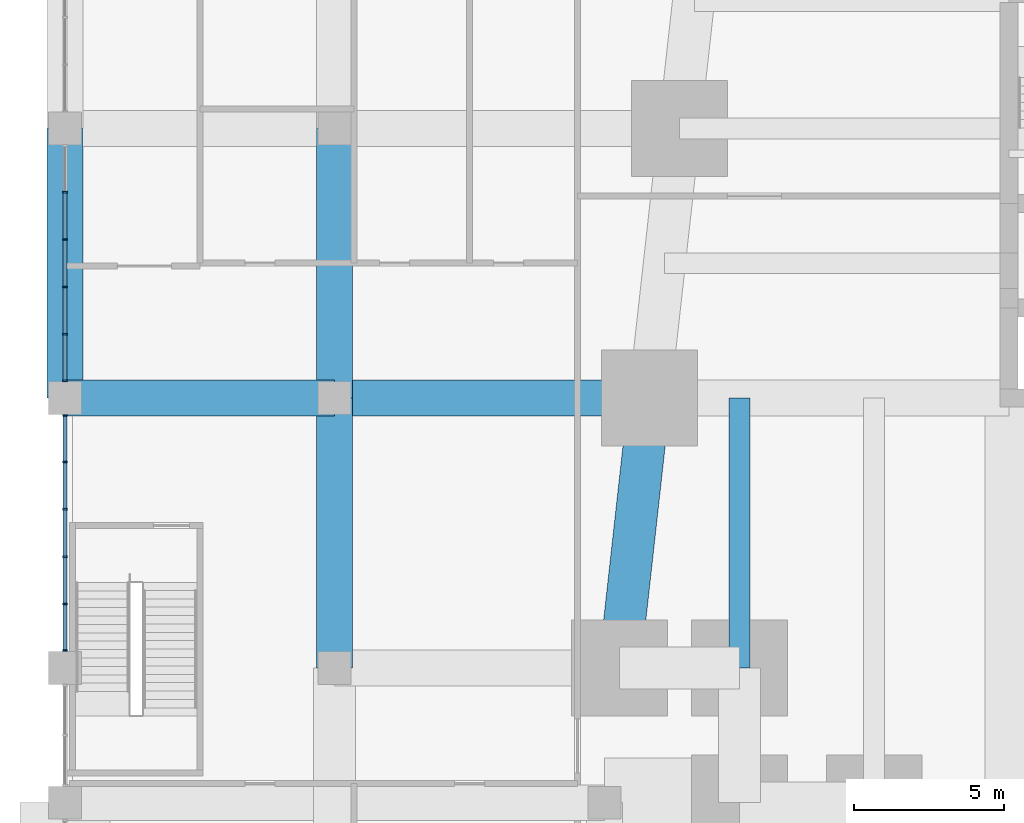
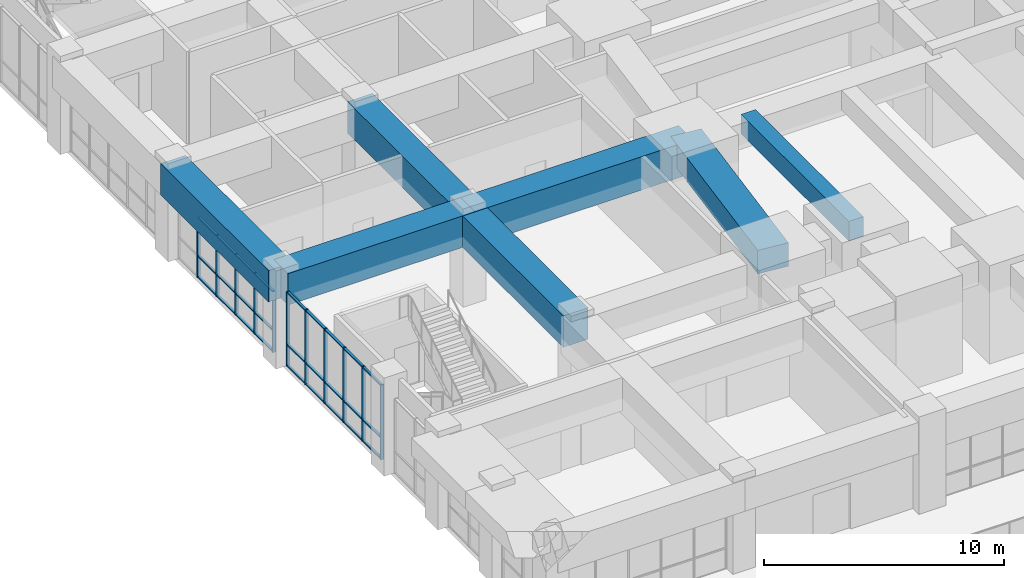
# One storey, part 4 of 27: 38 members, 7 beams, 2 elements without a shape of their own.
"""IFC4 building model written with IfcOpenShell, lengths in metres."""

from ifc_helpers import new_model, si_unit, direction, frame, origin, origin_2d, place, context, subcontext, project, spatial, rectangle, extrude, material, material_profile, profile_set, type_object, element, aggregate, save


model = new_model("IFC4")

# Units and contexts
model_context = context("Model", 3, precision=1e-05, world=origin(), true_north=direction((0.0, 1.0)))
body_context = subcontext(model_context, "Body", "Model", "MODEL_VIEW")
ifc_project = project(units=[si_unit("LENGTHUNIT", "METRE"), si_unit("AREAUNIT", "SQUARE_METRE"), si_unit("VOLUMEUNIT", "CUBIC_METRE"), si_unit("PLANEANGLEUNIT", "RADIAN"), si_unit("MASSUNIT", "GRAM", prefix="KILO")], contexts=[model_context])

# Site, building, storey
site_placement = place(None, origin())
site = spatial("IfcSite", under=ifc_project, at=site_placement, CompositionType="ELEMENT")
building_placement = place(site_placement, origin())
building = spatial("IfcBuilding", under=site, at=building_placement, Name="Kilele Tower Hotel", CompositionType="ELEMENT")
storey_placement = place(building_placement, frame((0.0, 0.0, 6.0)))
storey = spatial("IfcBuildingStorey", under=building, at=storey_placement, Name="L01", CompositionType="ELEMENT", Elevation=6.0)

# Beams
ifc_material_1 = material(Name="Concrete C60/75", Category="concrete")
ifc_material_profile_1 = material_profile(ifc_material_1, rectangle(XDim=1.199951171875, YDim=1.60009765625, at=origin_2d()))
ifc_profile_set_1 = profile_set([ifc_material_profile_1], Name="Concrete C60/75")
beam_type_1 = type_object("IfcBeamType", Name="Beam RC 1200x1600 C60/75", PredefinedType="BEAM", material=ifc_profile_set_1)
for number, where, z_axis, x_axis, name in (
    (1, (-9.0, 4.5, 3.89990234375), (0.0, 1.0, 0.0), (-1.0, 0.0, 0.0), "Beam PB2 level L02"),
    (2, (-18.0, 13.5, 3.89990234375), (1.0, 0.0, 0.0), (0.0, 1.0, 0.0), "Beam PB2 level L02"),
    (3, (-18.0, 13.5, 3.89990234375), (0.0, 1.0, 0.0), (-1.0, 0.0, 0.0), "Beam PB2 level L02"),
    (4, (-9.0, 13.5, 3.89990234375), (0.0, 1.0, 0.0), (-1.0, 0.0, 0.0), "Beam PB2 level L02"),
):
    element("IfcBeam", number, at=place(storey_placement, frame(where, z_axis=z_axis, x_axis=x_axis)), inside=storey, type_object=beam_type_1, Name=name, PredefinedType="BEAM", context=body_context, shape_type="SweptSolid", body=[
        extrude(rectangle(XDim=1.199951171875, YDim=1.60009765625, at=origin_2d()), origin(), (0.0, 0.0, 1.0), 9.0),
    ])
ifc_material_2 = material(Name="Concrete C60/75", Category="concrete")
ifc_material_profile_2 = material_profile(ifc_material_2, rectangle(XDim=1.199951171875, YDim=1.699951171875, at=origin_2d()))
ifc_profile_set_2 = profile_set([ifc_material_profile_2], Name="Concrete C60/75")
beam_type_2 = type_object("IfcBeamType", Name="Beam RC 1200x1700 C60/75 mid span", PredefinedType="BEAM", material=ifc_profile_set_2)
beam_1_placement = place(storey_placement, frame((-9.0, 13.5, 3.85009765625), z_axis=(1.0, 0.0, 0.0), x_axis=(0.0, 1.0, 0.0)))
element("IfcBeam", 5, at=beam_1_placement, inside=storey, type_object=beam_type_2, Name="Beam PB4 level L02", PredefinedType="BEAM", context=body_context, shape_type="SweptSolid", body=[
    extrude(rectangle(XDim=1.199951171875, YDim=1.699951171875, at=origin_2d()), origin(), (0.0, 0.0, 1.0), 10.5),
])
ifc_material_3 = material(Name="Concrete C60/75", Category="concrete")
ifc_material_profile_3 = material_profile(ifc_material_3, rectangle(XDim=0.699951171875, YDim=1.0, at=origin_2d()))
ifc_profile_set_3 = profile_set([ifc_material_profile_3], Name="Concrete C60/75")
beam_type_3 = type_object("IfcBeamType", Name="Beam RC 700x1000 C60/75 mid span", PredefinedType="BEAM", material=ifc_profile_set_3)
beam_2_placement = place(storey_placement, frame((4.5, 4.5, 4.199951171875), z_axis=(0.0, 1.0, 0.0), x_axis=(-1.0, 0.0, 0.0)))
element("IfcBeam", 6, at=beam_2_placement, inside=storey, type_object=beam_type_3, Name="Beam B5 level L02", PredefinedType="BEAM", context=body_context, shape_type="SweptSolid", body=[
    extrude(rectangle(XDim=0.699951171875, YDim=1.0, at=origin_2d()), origin(), (0.0, 0.0, 1.0), 9.0),
])

# Curtain wall, members
ifc_material_4 = material(Name="Aluminium curtain wall, clear double glazing", Category="aluminium")
curtain_wall_type = type_object("IfcCurtainWallType", Name="Podium side curtain wall CW-2", PredefinedType="NOTDEFINED", material=ifc_material_4)
curtain_wall_1_placement = place(storey_placement, origin())
curtain_wall_1 = element("IfcCurtainWall", 7, at=curtain_wall_1_placement, inside=storey, type_object=curtain_wall_type, Name="Podium side curtain wall CW-2 L01", PredefinedType="NOTDEFINED")
ifc_material_5 = material(Name="Aluminium EN AW-6063 T6", Category="aluminium")
ifc_material_profile_4 = material_profile(ifc_material_5, rectangle(XDim=0.159912109375, YDim=0.06005859375, at=origin_2d()))
ifc_profile_set_4 = profile_set([ifc_material_profile_4], Name="Aluminium EN AW-6063 T6")
member_type_1 = type_object("IfcMemberType", Name="Mullion 60x160 CW-2", PredefinedType="MULLION", material=ifc_profile_set_4)
member_1_placement = place(storey_placement, frame((-18.0, 20.3701171875, 0.0), z_axis=(0.0, 0.0, 1.0), x_axis=(1.0, 0.0, 0.0)))
member_1 = element("IfcMember", 8, at=member_1_placement, type_object=member_type_1, Name="CW-2 mullion 2", PredefinedType="MULLION", context=body_context, shape_type="SweptSolid", body=[
    extrude(rectangle(XDim=0.159912109375, YDim=0.06005859375, at=origin_2d()), origin(), (0.0, 0.0, 1.0), 3.10009765625),
])
member_2_placement = place(storey_placement, frame((-18.0, 18.7900390625, 0.0), z_axis=(0.0, 0.0, 1.0), x_axis=(1.0, 0.0, 0.0)))
member_2 = element("IfcMember", 9, at=member_2_placement, type_object=member_type_1, Name="CW-2 mullion 3", PredefinedType="MULLION", context=body_context, shape_type="SweptSolid", body=[
    extrude(rectangle(XDim=0.159912109375, YDim=0.06005859375, at=origin_2d()), origin(), (0.0, 0.0, 1.0), 3.10009765625),
])
member_3_placement = place(storey_placement, frame((-18.0, 17.2099609375, 0.0), z_axis=(0.0, 0.0, 1.0), x_axis=(1.0, 0.0, 0.0)))
member_3 = element("IfcMember", 10, at=member_3_placement, type_object=member_type_1, Name="CW-2 mullion 4", PredefinedType="MULLION", context=body_context, shape_type="SweptSolid", body=[
    extrude(rectangle(XDim=0.159912109375, YDim=0.06005859375, at=origin_2d()), origin(), (0.0, 0.0, 1.0), 3.10009765625),
])
member_4_placement = place(storey_placement, frame((-18.0, 15.6298828125, 0.0), z_axis=(0.0, 0.0, 1.0), x_axis=(1.0, 0.0, 0.0)))
member_4 = element("IfcMember", 11, at=member_4_placement, type_object=member_type_1, Name="CW-2 mullion 5", PredefinedType="MULLION", context=body_context, shape_type="SweptSolid", body=[
    extrude(rectangle(XDim=0.159912109375, YDim=0.06005859375, at=origin_2d()), origin(), (0.0, 0.0, 1.0), 3.10009765625),
])
member_5_placement = place(storey_placement, frame((-18.0, 14.080078125, 0.0), z_axis=(0.0, 0.0, 1.0), x_axis=(1.0, 0.0, 0.0)))
member_5 = element("IfcMember", 12, at=member_5_placement, type_object=member_type_1, Name="CW-2 mullion 6", PredefinedType="MULLION", context=body_context, shape_type="SweptSolid", body=[
    extrude(rectangle(XDim=0.159912109375, YDim=0.06005859375, at=origin_2d()), origin(), (0.0, 0.0, 1.0), 3.10009765625),
])

curtain_wall_2_placement = place(storey_placement, origin())
curtain_wall_2 = element("IfcCurtainWall", 13, at=curtain_wall_2_placement, inside=storey, type_object=curtain_wall_type, Name="Podium side curtain wall CW-2 L01", PredefinedType="NOTDEFINED")
member_6_placement = place(storey_placement, frame((-18.0, 12.919921875, 0.0), z_axis=(0.0, 0.0, 1.0), x_axis=(1.0, 0.0, 0.0)))
member_6 = element("IfcMember", 14, at=member_6_placement, type_object=member_type_1, Name="CW-2 mullion 1", PredefinedType="MULLION", context=body_context, shape_type="SweptSolid", body=[
    extrude(rectangle(XDim=0.159912109375, YDim=0.06005859375, at=origin_2d()), origin(), (0.0, 0.0, 1.0), 3.800048828125),
])
member_7_placement = place(storey_placement, frame((-18.0, 11.3701171875, 0.0), z_axis=(0.0, 0.0, 1.0), x_axis=(1.0, 0.0, 0.0)))
member_7 = element("IfcMember", 15, at=member_7_placement, type_object=member_type_1, Name="CW-2 mullion 2", PredefinedType="MULLION", context=body_context, shape_type="SweptSolid", body=[
    extrude(rectangle(XDim=0.159912109375, YDim=0.06005859375, at=origin_2d()), origin(), (0.0, 0.0, 1.0), 3.800048828125),
])
member_8_placement = place(storey_placement, frame((-18.0, 9.7900390625, 0.0), z_axis=(0.0, 0.0, 1.0), x_axis=(1.0, 0.0, 0.0)))
member_8 = element("IfcMember", 16, at=member_8_placement, type_object=member_type_1, Name="CW-2 mullion 3", PredefinedType="MULLION", context=body_context, shape_type="SweptSolid", body=[
    extrude(rectangle(XDim=0.159912109375, YDim=0.06005859375, at=origin_2d()), origin(), (0.0, 0.0, 1.0), 3.800048828125),
])
member_9_placement = place(storey_placement, frame((-18.0, 8.2099609375, 0.0), z_axis=(0.0, 0.0, 1.0), x_axis=(1.0, 0.0, 0.0)))
member_9 = element("IfcMember", 17, at=member_9_placement, type_object=member_type_1, Name="CW-2 mullion 4", PredefinedType="MULLION", context=body_context, shape_type="SweptSolid", body=[
    extrude(rectangle(XDim=0.159912109375, YDim=0.06005859375, at=origin_2d()), origin(), (0.0, 0.0, 1.0), 3.800048828125),
])
member_10_placement = place(storey_placement, frame((-18.0, 6.6298828125, 0.0), z_axis=(0.0, 0.0, 1.0), x_axis=(1.0, 0.0, 0.0)))
member_10 = element("IfcMember", 18, at=member_10_placement, type_object=member_type_1, Name="CW-2 mullion 5", PredefinedType="MULLION", context=body_context, shape_type="SweptSolid", body=[
    extrude(rectangle(XDim=0.159912109375, YDim=0.06005859375, at=origin_2d()), origin(), (0.0, 0.0, 1.0), 3.800048828125),
])
member_11_placement = place(storey_placement, frame((-18.0, 5.080078125, 0.0), z_axis=(0.0, 0.0, 1.0), x_axis=(1.0, 0.0, 0.0)))
member_11 = element("IfcMember", 19, at=member_11_placement, type_object=member_type_1, Name="CW-2 mullion 6", PredefinedType="MULLION", context=body_context, shape_type="SweptSolid", body=[
    extrude(rectangle(XDim=0.159912109375, YDim=0.06005859375, at=origin_2d()), origin(), (0.0, 0.0, 1.0), 3.800048828125),
])

# Beam
ifc_material_6 = material(Name="Concrete C60/75", Category="concrete")
ifc_material_profile_5 = material_profile(ifc_material_6, rectangle(XDim=1.39990234375, YDim=1.199951171875, at=origin_2d()))
ifc_profile_set_5 = profile_set([ifc_material_profile_5], Name="Concrete C60/75")
beam_type_4 = type_object("IfcBeamType", Name="Spandrel RC 1400x1200 C60/75", PredefinedType="SPANDREL", material=ifc_profile_set_5)
beam_3_placement = place(storey_placement, frame((1.5, 13.5, 4.10009765625), z_axis=(-0.110431526075, -0.993883734674, 0.0), x_axis=(0.993883734674, -0.110431526075, 0.0)))
element("IfcBeam", 20, at=beam_3_placement, inside=storey, type_object=beam_type_4, Name="Spandrel SP10 level L02", PredefinedType="SPANDREL", context=body_context, shape_type="SweptSolid", body=[
    extrude(rectangle(XDim=1.39990234375, YDim=1.199951171875, at=origin_2d()), origin(), (0.0, 0.0, 1.0), 9.055419921875),
])

# Member
ifc_material_7 = material(Name="Aluminium EN AW-6063 T6", Category="aluminium")
ifc_material_profile_6 = material_profile(ifc_material_7, rectangle(XDim=0.1201171875, YDim=0.06005859375, at=origin_2d()))
ifc_profile_set_6 = profile_set([ifc_material_profile_6], Name="Aluminium EN AW-6063 T6")
member_type_2 = type_object("IfcMemberType", Name="Transom 60x120 CW-2", PredefinedType="USERDEFINED", material=ifc_profile_set_6)
member_12_placement = place(storey_placement, frame((-18.0, 20.340087890625, 0.030029296875), z_axis=(0.0, -1.0, 0.0), x_axis=(1.0, 0.0, 0.0)))
member_12 = element("IfcMember", 21, at=member_12_placement, type_object=member_type_2, Name="CW-2 transom 2.1", ObjectType="TRANSOM", PredefinedType="USERDEFINED", context=body_context, shape_type="SweptSolid", body=[
    extrude(rectangle(XDim=0.1201171875, YDim=0.06005859375, at=origin_2d()), origin(), (0.0, 0.0, 1.0), 1.52001953125),
])

member_13_placement = place(storey_placement, frame((-18.0, 20.340087890625, 1.10009765625), z_axis=(0.0, -1.0, 0.0), x_axis=(1.0, 0.0, 0.0)))
member_13 = element("IfcMember", 22, at=member_13_placement, type_object=member_type_2, Name="CW-2 transom 2.2", ObjectType="TRANSOM", PredefinedType="USERDEFINED", context=body_context, shape_type="SweptSolid", body=[
    extrude(rectangle(XDim=0.1201171875, YDim=0.06005859375, at=origin_2d()), origin(), (0.0, 0.0, 1.0), 1.52001953125),
])

member_14_placement = place(storey_placement, frame((-18.0, 20.340087890625, 3.070068359375), z_axis=(0.0, -1.0, 0.0), x_axis=(1.0, 0.0, 0.0)))
member_14 = element("IfcMember", 23, at=member_14_placement, type_object=member_type_2, Name="CW-2 transom 2.3", ObjectType="TRANSOM", PredefinedType="USERDEFINED", context=body_context, shape_type="SweptSolid", body=[
    extrude(rectangle(XDim=0.1201171875, YDim=0.06005859375, at=origin_2d()), origin(), (0.0, 0.0, 1.0), 1.52001953125),
])

member_15_placement = place(storey_placement, frame((-18.0, 18.760009765625, 0.030029296875), z_axis=(0.0, -1.0, 0.0), x_axis=(1.0, 0.0, 0.0)))
member_15 = element("IfcMember", 24, at=member_15_placement, type_object=member_type_2, Name="CW-2 transom 3.1", ObjectType="TRANSOM", PredefinedType="USERDEFINED", context=body_context, shape_type="SweptSolid", body=[
    extrude(rectangle(XDim=0.1201171875, YDim=0.06005859375, at=origin_2d()), origin(), (0.0, 0.0, 1.0), 1.52001953125),
])

member_16_placement = place(storey_placement, frame((-18.0, 18.760009765625, 1.10009765625), z_axis=(0.0, -1.0, 0.0), x_axis=(1.0, 0.0, 0.0)))
member_16 = element("IfcMember", 25, at=member_16_placement, type_object=member_type_2, Name="CW-2 transom 3.2", ObjectType="TRANSOM", PredefinedType="USERDEFINED", context=body_context, shape_type="SweptSolid", body=[
    extrude(rectangle(XDim=0.1201171875, YDim=0.06005859375, at=origin_2d()), origin(), (0.0, 0.0, 1.0), 1.52001953125),
])

member_17_placement = place(storey_placement, frame((-18.0, 18.760009765625, 3.070068359375), z_axis=(0.0, -1.0, 0.0), x_axis=(1.0, 0.0, 0.0)))
member_17 = element("IfcMember", 26, at=member_17_placement, type_object=member_type_2, Name="CW-2 transom 3.3", ObjectType="TRANSOM", PredefinedType="USERDEFINED", context=body_context, shape_type="SweptSolid", body=[
    extrude(rectangle(XDim=0.1201171875, YDim=0.06005859375, at=origin_2d()), origin(), (0.0, 0.0, 1.0), 1.52001953125),
])

member_18_placement = place(storey_placement, frame((-18.0, 17.179931640625, 0.030029296875), z_axis=(0.0, -1.0, 0.0), x_axis=(1.0, 0.0, 0.0)))
member_18 = element("IfcMember", 27, at=member_18_placement, type_object=member_type_2, Name="CW-2 transom 4.1", ObjectType="TRANSOM", PredefinedType="USERDEFINED", context=body_context, shape_type="SweptSolid", body=[
    extrude(rectangle(XDim=0.1201171875, YDim=0.06005859375, at=origin_2d()), origin(), (0.0, 0.0, 1.0), 1.52001953125),
])

member_19_placement = place(storey_placement, frame((-18.0, 17.179931640625, 1.10009765625), z_axis=(0.0, -1.0, 0.0), x_axis=(1.0, 0.0, 0.0)))
member_19 = element("IfcMember", 28, at=member_19_placement, type_object=member_type_2, Name="CW-2 transom 4.2", ObjectType="TRANSOM", PredefinedType="USERDEFINED", context=body_context, shape_type="SweptSolid", body=[
    extrude(rectangle(XDim=0.1201171875, YDim=0.06005859375, at=origin_2d()), origin(), (0.0, 0.0, 1.0), 1.52001953125),
])

member_20_placement = place(storey_placement, frame((-18.0, 17.179931640625, 3.070068359375), z_axis=(0.0, -1.0, 0.0), x_axis=(1.0, 0.0, 0.0)))
member_20 = element("IfcMember", 29, at=member_20_placement, type_object=member_type_2, Name="CW-2 transom 4.3", ObjectType="TRANSOM", PredefinedType="USERDEFINED", context=body_context, shape_type="SweptSolid", body=[
    extrude(rectangle(XDim=0.1201171875, YDim=0.06005859375, at=origin_2d()), origin(), (0.0, 0.0, 1.0), 1.52001953125),
])

member_21_placement = place(storey_placement, frame((-18.0, 15.60009765625, 0.030029296875), z_axis=(0.0, -1.0, 0.0), x_axis=(1.0, 0.0, 0.0)))
member_21 = element("IfcMember", 30, at=member_21_placement, type_object=member_type_2, Name="CW-2 transom 5.1", ObjectType="TRANSOM", PredefinedType="USERDEFINED", context=body_context, shape_type="SweptSolid", body=[
    extrude(rectangle(XDim=0.1201171875, YDim=0.06005859375, at=origin_2d()), origin(), (0.0, 0.0, 1.0), 1.489990234375),
])

member_22_placement = place(storey_placement, frame((-18.0, 15.60009765625, 1.10009765625), z_axis=(0.0, -1.0, 0.0), x_axis=(1.0, 0.0, 0.0)))
member_22 = element("IfcMember", 31, at=member_22_placement, type_object=member_type_2, Name="CW-2 transom 5.2", ObjectType="TRANSOM", PredefinedType="USERDEFINED", context=body_context, shape_type="SweptSolid", body=[
    extrude(rectangle(XDim=0.1201171875, YDim=0.06005859375, at=origin_2d()), origin(), (0.0, 0.0, 1.0), 1.489990234375),
])

member_23_placement = place(storey_placement, frame((-18.0, 15.60009765625, 3.070068359375), z_axis=(0.0, -1.0, 0.0), x_axis=(1.0, 0.0, 0.0)))
member_23 = element("IfcMember", 32, at=member_23_placement, type_object=member_type_2, Name="CW-2 transom 5.3", ObjectType="TRANSOM", PredefinedType="USERDEFINED", context=body_context, shape_type="SweptSolid", body=[
    extrude(rectangle(XDim=0.1201171875, YDim=0.06005859375, at=origin_2d()), origin(), (0.0, 0.0, 1.0), 1.489990234375),
])

aggregate(curtain_wall_1, [member_1, member_2, member_3, member_4, member_5, member_12, member_13, member_14, member_15, member_16, member_17, member_18, member_19, member_20, member_21, member_22, member_23])

member_24_placement = place(storey_placement, frame((-18.0, 12.889892578125, 0.030029296875), z_axis=(0.0, -1.0, 0.0), x_axis=(1.0, 0.0, 0.0)))
member_24 = element("IfcMember", 33, at=member_24_placement, type_object=member_type_2, Name="CW-2 transom 1.1", ObjectType="TRANSOM", PredefinedType="USERDEFINED", context=body_context, shape_type="SweptSolid", body=[
    extrude(rectangle(XDim=0.1201171875, YDim=0.06005859375, at=origin_2d()), origin(), (0.0, 0.0, 1.0), 1.489990234375),
])

member_25_placement = place(storey_placement, frame((-18.0, 12.889892578125, 1.10009765625), z_axis=(0.0, -1.0, 0.0), x_axis=(1.0, 0.0, 0.0)))
member_25 = element("IfcMember", 34, at=member_25_placement, type_object=member_type_2, Name="CW-2 transom 1.2", ObjectType="TRANSOM", PredefinedType="USERDEFINED", context=body_context, shape_type="SweptSolid", body=[
    extrude(rectangle(XDim=0.1201171875, YDim=0.06005859375, at=origin_2d()), origin(), (0.0, 0.0, 1.0), 1.489990234375),
])

member_26_placement = place(storey_placement, frame((-18.0, 12.889892578125, 3.77001953125), z_axis=(0.0, -1.0, 0.0), x_axis=(1.0, 0.0, 0.0)))
member_26 = element("IfcMember", 35, at=member_26_placement, type_object=member_type_2, Name="CW-2 transom 1.3", ObjectType="TRANSOM", PredefinedType="USERDEFINED", context=body_context, shape_type="SweptSolid", body=[
    extrude(rectangle(XDim=0.1201171875, YDim=0.06005859375, at=origin_2d()), origin(), (0.0, 0.0, 1.0), 1.489990234375),
])

member_27_placement = place(storey_placement, frame((-18.0, 11.340087890625, 0.030029296875), z_axis=(0.0, -1.0, 0.0), x_axis=(1.0, 0.0, 0.0)))
member_27 = element("IfcMember", 36, at=member_27_placement, type_object=member_type_2, Name="CW-2 transom 2.1", ObjectType="TRANSOM", PredefinedType="USERDEFINED", context=body_context, shape_type="SweptSolid", body=[
    extrude(rectangle(XDim=0.1201171875, YDim=0.06005859375, at=origin_2d()), origin(), (0.0, 0.0, 1.0), 1.52001953125),
])

member_28_placement = place(storey_placement, frame((-18.0, 11.340087890625, 1.10009765625), z_axis=(0.0, -1.0, 0.0), x_axis=(1.0, 0.0, 0.0)))
member_28 = element("IfcMember", 37, at=member_28_placement, type_object=member_type_2, Name="CW-2 transom 2.2", ObjectType="TRANSOM", PredefinedType="USERDEFINED", context=body_context, shape_type="SweptSolid", body=[
    extrude(rectangle(XDim=0.1201171875, YDim=0.06005859375, at=origin_2d()), origin(), (0.0, 0.0, 1.0), 1.52001953125),
])

member_29_placement = place(storey_placement, frame((-18.0, 11.340087890625, 3.77001953125), z_axis=(0.0, -1.0, 0.0), x_axis=(1.0, 0.0, 0.0)))
member_29 = element("IfcMember", 38, at=member_29_placement, type_object=member_type_2, Name="CW-2 transom 2.3", ObjectType="TRANSOM", PredefinedType="USERDEFINED", context=body_context, shape_type="SweptSolid", body=[
    extrude(rectangle(XDim=0.1201171875, YDim=0.06005859375, at=origin_2d()), origin(), (0.0, 0.0, 1.0), 1.52001953125),
])

member_30_placement = place(storey_placement, frame((-18.0, 9.760009765625, 0.030029296875), z_axis=(0.0, -1.0, 0.0), x_axis=(1.0, 0.0, 0.0)))
member_30 = element("IfcMember", 39, at=member_30_placement, type_object=member_type_2, Name="CW-2 transom 3.1", ObjectType="TRANSOM", PredefinedType="USERDEFINED", context=body_context, shape_type="SweptSolid", body=[
    extrude(rectangle(XDim=0.1201171875, YDim=0.06005859375, at=origin_2d()), origin(), (0.0, 0.0, 1.0), 1.52001953125),
])

member_31_placement = place(storey_placement, frame((-18.0, 9.760009765625, 1.10009765625), z_axis=(0.0, -1.0, 0.0), x_axis=(1.0, 0.0, 0.0)))
member_31 = element("IfcMember", 40, at=member_31_placement, type_object=member_type_2, Name="CW-2 transom 3.2", ObjectType="TRANSOM", PredefinedType="USERDEFINED", context=body_context, shape_type="SweptSolid", body=[
    extrude(rectangle(XDim=0.1201171875, YDim=0.06005859375, at=origin_2d()), origin(), (0.0, 0.0, 1.0), 1.52001953125),
])

member_32_placement = place(storey_placement, frame((-18.0, 9.760009765625, 3.77001953125), z_axis=(0.0, -1.0, 0.0), x_axis=(1.0, 0.0, 0.0)))
member_32 = element("IfcMember", 41, at=member_32_placement, type_object=member_type_2, Name="CW-2 transom 3.3", ObjectType="TRANSOM", PredefinedType="USERDEFINED", context=body_context, shape_type="SweptSolid", body=[
    extrude(rectangle(XDim=0.1201171875, YDim=0.06005859375, at=origin_2d()), origin(), (0.0, 0.0, 1.0), 1.52001953125),
])

member_33_placement = place(storey_placement, frame((-18.0, 8.179931640625, 0.030029296875), z_axis=(0.0, -1.0, 0.0), x_axis=(1.0, 0.0, 0.0)))
member_33 = element("IfcMember", 42, at=member_33_placement, type_object=member_type_2, Name="CW-2 transom 4.1", ObjectType="TRANSOM", PredefinedType="USERDEFINED", context=body_context, shape_type="SweptSolid", body=[
    extrude(rectangle(XDim=0.1201171875, YDim=0.06005859375, at=origin_2d()), origin(), (0.0, 0.0, 1.0), 1.52001953125),
])

member_34_placement = place(storey_placement, frame((-18.0, 8.179931640625, 1.10009765625), z_axis=(0.0, -1.0, 0.0), x_axis=(1.0, 0.0, 0.0)))
member_34 = element("IfcMember", 43, at=member_34_placement, type_object=member_type_2, Name="CW-2 transom 4.2", ObjectType="TRANSOM", PredefinedType="USERDEFINED", context=body_context, shape_type="SweptSolid", body=[
    extrude(rectangle(XDim=0.1201171875, YDim=0.06005859375, at=origin_2d()), origin(), (0.0, 0.0, 1.0), 1.52001953125),
])

member_35_placement = place(storey_placement, frame((-18.0, 8.179931640625, 3.77001953125), z_axis=(0.0, -1.0, 0.0), x_axis=(1.0, 0.0, 0.0)))
member_35 = element("IfcMember", 44, at=member_35_placement, type_object=member_type_2, Name="CW-2 transom 4.3", ObjectType="TRANSOM", PredefinedType="USERDEFINED", context=body_context, shape_type="SweptSolid", body=[
    extrude(rectangle(XDim=0.1201171875, YDim=0.06005859375, at=origin_2d()), origin(), (0.0, 0.0, 1.0), 1.52001953125),
])

member_36_placement = place(storey_placement, frame((-18.0, 6.60009765625, 0.030029296875), z_axis=(0.0, -1.0, 0.0), x_axis=(1.0, 0.0, 0.0)))
member_36 = element("IfcMember", 45, at=member_36_placement, type_object=member_type_2, Name="CW-2 transom 5.1", ObjectType="TRANSOM", PredefinedType="USERDEFINED", context=body_context, shape_type="SweptSolid", body=[
    extrude(rectangle(XDim=0.1201171875, YDim=0.06005859375, at=origin_2d()), origin(), (0.0, 0.0, 1.0), 1.489990234375),
])

member_37_placement = place(storey_placement, frame((-18.0, 6.60009765625, 1.10009765625), z_axis=(0.0, -1.0, 0.0), x_axis=(1.0, 0.0, 0.0)))
member_37 = element("IfcMember", 46, at=member_37_placement, type_object=member_type_2, Name="CW-2 transom 5.2", ObjectType="TRANSOM", PredefinedType="USERDEFINED", context=body_context, shape_type="SweptSolid", body=[
    extrude(rectangle(XDim=0.1201171875, YDim=0.06005859375, at=origin_2d()), origin(), (0.0, 0.0, 1.0), 1.489990234375),
])

member_38_placement = place(storey_placement, frame((-18.0, 6.60009765625, 3.77001953125), z_axis=(0.0, -1.0, 0.0), x_axis=(1.0, 0.0, 0.0)))
member_38 = element("IfcMember", 47, at=member_38_placement, type_object=member_type_2, Name="CW-2 transom 5.3", ObjectType="TRANSOM", PredefinedType="USERDEFINED", context=body_context, shape_type="SweptSolid", body=[
    extrude(rectangle(XDim=0.1201171875, YDim=0.06005859375, at=origin_2d()), origin(), (0.0, 0.0, 1.0), 1.489990234375),
])

aggregate(curtain_wall_2, [member_6, member_7, member_8, member_9, member_10, member_11, member_24, member_25, member_26, member_27, member_28, member_29, member_30, member_31, member_32, member_33, member_34, member_35, member_36, member_37, member_38])

save(model, "model.ifc")
